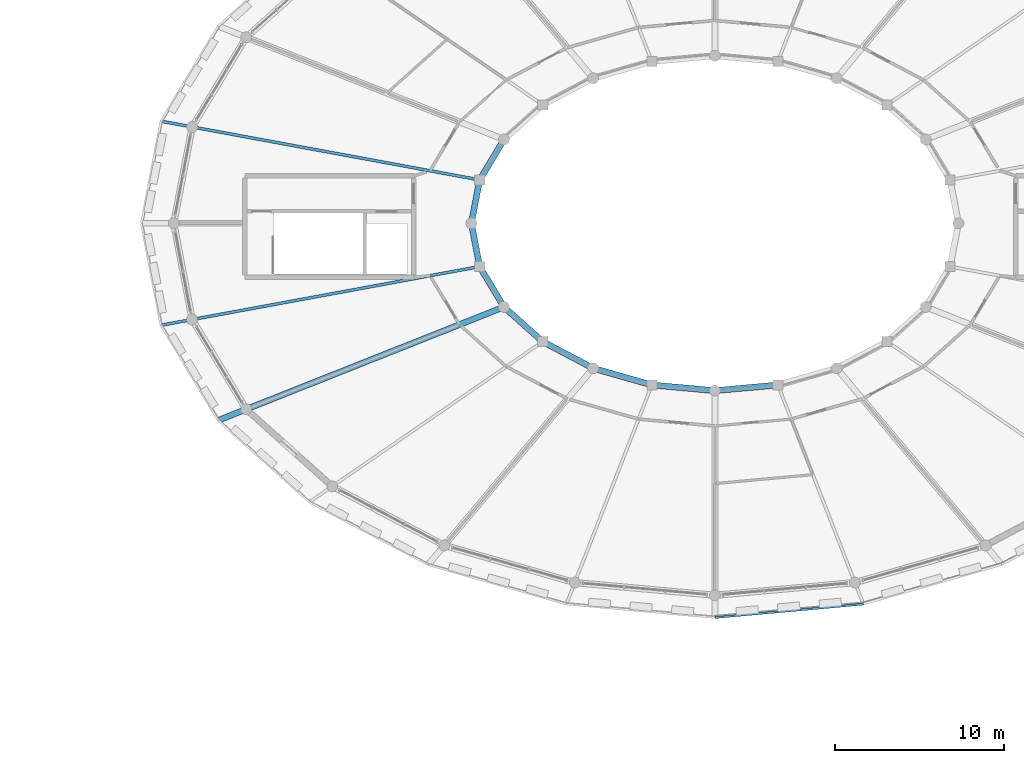
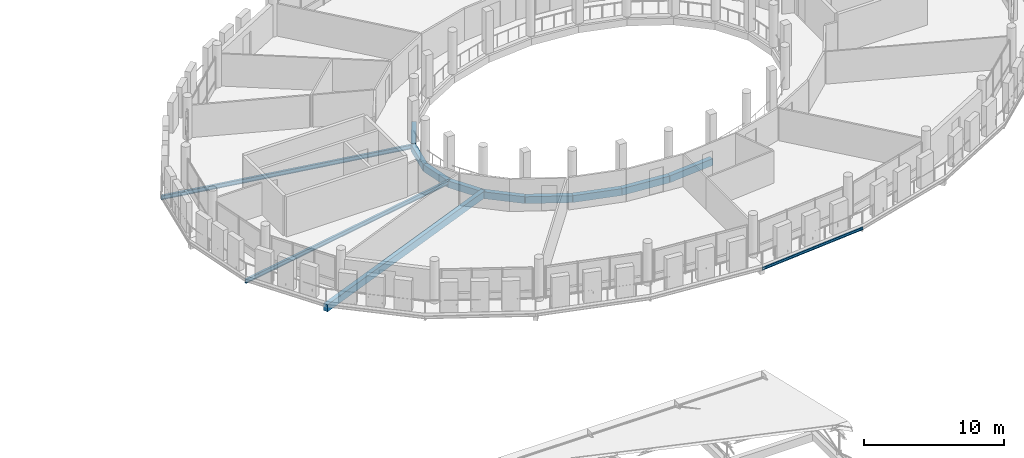
# One storey, part 30 of 84: 13 beams.
"""IFC4 building model written with IfcOpenShell, lengths in metres."""

from ifc_helpers import new_model, si_unit, direction, frame, origin, origin_2d, place, context, subcontext, project, spatial, rectangle, i_section, extrude, material, material_profile, profile_set, type_object, element, save


model = new_model("IFC4")

# Units and contexts
model_context = context("Model", 3, precision=1e-05, world=origin(), true_north=direction((0.0, 1.0)))
body_context = subcontext(model_context, "Body", "Model", "MODEL_VIEW")
ifc_project = project(units=[si_unit("LENGTHUNIT", "METRE"), si_unit("AREAUNIT", "SQUARE_METRE"), si_unit("VOLUMEUNIT", "CUBIC_METRE"), si_unit("PLANEANGLEUNIT", "RADIAN"), si_unit("MASSUNIT", "GRAM", prefix="KILO")], contexts=[model_context])

# Site, building, storey
site_placement = place(None, origin())
site = spatial("IfcSite", under=ifc_project, at=site_placement, CompositionType="ELEMENT")
building_placement = place(site_placement, origin())
building = spatial("IfcBuilding", under=site, at=building_placement, Name="Zornivar Specialist Clinic", CompositionType="ELEMENT")
storey_placement = place(building_placement, frame((0.0, 0.0, 12.300048828125)))
storey = spatial("IfcBuildingStorey", under=building, at=storey_placement, Name="L03", CompositionType="ELEMENT", Elevation=12.300048828125)

# Beams
ifc_material_1 = material(Name="Concrete C30/37", Category="concrete")
ifc_material_profile_1 = material_profile(ifc_material_1, rectangle(XDim=0.360107421875, YDim=0.60009765625, at=origin_2d()), Name="RC 360x600")
ifc_profile_set_1 = profile_set([ifc_material_profile_1], Name="Concrete C30/37")
beam_type_1 = type_object("IfcBeamType", Name="BM-RC-360x600", PredefinedType="BEAM", material=ifc_profile_set_1)
beam_1_placement = place(storey_placement, frame((81.12890625, 62.550048828125, -0.590087890625), z_axis=(-0.515873260277, -0.856664916599, 0.0), x_axis=(0.856664916599, -0.515873260277, 0.0)))
element("IfcBeam", 1, at=beam_1_placement, inside=storey, type_object=beam_type_1, Name="bm:V1:L03:inring:10", PredefinedType="BEAM", context=body_context, shape_type="SweptSolid", body=[
    extrude(rectangle(XDim=0.360107421875, YDim=0.60009765625, at=origin_2d()), origin(), (0.0, 0.0, 1.0), 2.78759765625),
])
for number, where, z_axis, x_axis, name in (
    (2, (79.69091796875, 60.162109375, -0.590087890625), (-0.188208648203, -0.982129067252, 0.0), (0.982129067252, -0.188208648203, 0.0), "bm:V1:L03:inring:11"),
    (3, (79.199951171875, 57.60009765625, -0.590087890625), (0.188208648203, -0.982129067252, 0.0), (0.982129067252, 0.188208648203, 0.0), "bm:V1:L03:inring:12"),
):
    element("IfcBeam", number, at=place(storey_placement, frame(where, z_axis=z_axis, x_axis=x_axis)), inside=storey, type_object=beam_type_1, Name=name, PredefinedType="BEAM", context=body_context, shape_type="SweptSolid", body=[
        extrude(rectangle(XDim=0.360107421875, YDim=0.60009765625, at=origin_2d()), origin(), (0.0, 0.0, 1.0), 2.608642578125),
    ])
beam_2_placement = place(storey_placement, frame((79.69091796875, 55.0380859375, -0.590087890625), z_axis=(0.515834556349, -0.856688222445, 0.0), x_axis=(0.856688222445, 0.515834556349, 0.0)))
element("IfcBeam", 4, at=beam_2_placement, inside=storey, type_object=beam_type_1, Name="bm:V1:L03:inring:13", PredefinedType="BEAM", context=body_context, shape_type="SweptSolid", body=[
    extrude(rectangle(XDim=0.360107421875, YDim=0.60009765625, at=origin_2d()), origin(), (0.0, 0.0, 1.0), 2.78759765625),
])
beam_3_placement = place(storey_placement, frame((81.12890625, 52.64990234375, -0.590087890625), z_axis=(0.744966948512, -0.667101375822, 0.0), x_axis=(0.667101375822, 0.744966948512, 0.0)))
element("IfcBeam", 5, at=beam_3_placement, inside=storey, type_object=beam_type_1, Name="bm:V1:L03:inring:14", PredefinedType="BEAM", context=body_context, shape_type="SweptSolid", body=[
    extrude(rectangle(XDim=0.360107421875, YDim=0.60009765625, at=origin_2d()), origin(), (0.0, 0.0, 1.0), 3.07275390625),
])
beam_4_placement = place(storey_placement, frame((83.41796875, 50.60009765625, -0.590087890625), z_axis=(0.884333274309, -0.466856144813, 0.0), x_axis=(0.466856144813, 0.884333274309, 0.0)))
element("IfcBeam", 6, at=beam_4_placement, inside=storey, type_object=beam_type_1, Name="bm:V1:L03:inring:15", PredefinedType="BEAM", context=body_context, shape_type="SweptSolid", body=[
    extrude(rectangle(XDim=0.360107421875, YDim=0.60009765625, at=origin_2d()), origin(), (0.0, 0.0, 1.0), 3.3720703125),
])
beam_5_placement = place(storey_placement, frame((86.39990234375, 49.02587890625, -0.590087890625), z_axis=(0.961783741221, -0.273810217345, 0.0), x_axis=(0.273810217345, 0.961783741221, 0.0)))
element("IfcBeam", 7, at=beam_5_placement, inside=storey, type_object=beam_type_1, Name="bm:V1:L03:inring:16", PredefinedType="BEAM", context=body_context, shape_type="SweptSolid", body=[
    extrude(rectangle(XDim=0.360107421875, YDim=0.60009765625, at=origin_2d()), origin(), (0.0, 0.0, 1.0), 3.611083984375),
])
beam_6_placement = place(storey_placement, frame((89.873046875, 48.037109375, -0.590087890625), z_axis=(0.995933214481, -0.090094574165, 0.0), x_axis=(0.090094574165, 0.995933214481, 0.0)))
element("IfcBeam", 8, at=beam_6_placement, inside=storey, type_object=beam_type_1, Name="bm:V1:L03:inring:17", PredefinedType="BEAM", context=body_context, shape_type="SweptSolid", body=[
    extrude(rectangle(XDim=0.360107421875, YDim=0.60009765625, at=origin_2d()), origin(), (0.0, 0.0, 1.0), 3.7421875),
])
beam_7_placement = place(storey_placement, frame((93.60009765625, 47.699951171875, -0.590087890625), z_axis=(0.995932684885, 0.090100428289, 0.0), x_axis=(-0.090100428289, 0.995932684885, 0.0)))
element("IfcBeam", 9, at=beam_7_placement, inside=storey, type_object=beam_type_1, Name="bm:V1:L03:inring:18", PredefinedType="BEAM", context=body_context, shape_type="SweptSolid", body=[
    extrude(rectangle(XDim=0.360107421875, YDim=0.60009765625, at=origin_2d()), origin(), (0.0, 0.0, 1.0), 3.741943359375),
])
ifc_material_2 = material(Name="Concrete C30/37", Category="concrete")
ifc_material_profile_2 = material_profile(ifc_material_2, rectangle(XDim=0.35009765625, YDim=0.6201171875, at=origin_2d()), Name="RC 350x620")
ifc_profile_set_2 = profile_set([ifc_material_profile_2], Name="Concrete C30/37")
beam_type_2 = type_object("IfcBeamType", Name="BM-RC-CANT-350x620", PredefinedType="BEAM", material=ifc_profile_set_2)
beam_8_placement = place(storey_placement, frame((81.12890625, 52.64990234375, -0.550048828125), z_axis=(-0.929458420314, -0.368926882873, 0.0), x_axis=(0.368926882873, -0.929458420314, 0.0)))
element("IfcBeam", 10, at=beam_8_placement, inside=storey, type_object=beam_type_2, Name="bm:V1:L03:radcant:14", PredefinedType="BEAM", context=body_context, shape_type="SweptSolid", body=[
    extrude(rectangle(XDim=0.35009765625, YDim=0.6201171875, at=origin_2d()), origin(), (0.0, 0.0, 1.0), 18.187744140625),
])
ifc_material_3 = material(Name="Steel S355J2", Category="steel")
ifc_material_profile_3 = material_profile(ifc_material_3, i_section(OverallWidth=0.1201171875, OverallDepth=0.239990234375, WebThickness=0.006103515625, FlangeThickness=0.009765625, FilletRadius=0.014892578125, at=origin_2d()), Name="IPE 240")
ifc_profile_set_3 = profile_set([ifc_material_profile_3], Name="Steel S355J2")
beam_type_3 = type_object("IfcBeamType", Name="BM-STL-IPE240", PredefinedType="JOIST", material=ifc_profile_set_3)
beam_9_placement = place(storey_placement, frame((93.60009765625, 34.280029296875, -0.360107421875), z_axis=(0.995925380717, 0.090181129084, 0.0), x_axis=(-0.090181129084, 0.995925380717, 0.0)))
element("IfcBeam", 11, at=beam_9_placement, inside=storey, type_object=beam_type_3, Name="bm:V1:L03:balring:18", PredefinedType="JOIST", context=body_context, shape_type="SweptSolid", body=[
    extrude(i_section(OverallWidth=0.1201171875, OverallDepth=0.239990234375, WebThickness=0.006103515625, FlangeThickness=0.009765625, FilletRadius=0.014892578125, at=origin_2d()), origin(), (0.0, 0.0, 1.0), 8.814697265625),
])
ifc_material_4 = material(Name="Steel S355J2", Category="steel")
ifc_material_profile_4 = material_profile(ifc_material_4, i_section(OverallWidth=0.169921875, OverallDepth=0.360107421875, WebThickness=0.008056640625, FlangeThickness=0.0126953125, FilletRadius=0.01806640625, at=origin_2d()), Name="IPE 360")
ifc_profile_set_4 = profile_set([ifc_material_profile_4], Name="Steel S355J2")
beam_type_4 = type_object("IfcBeamType", Name="BM-STL-IPE360", PredefinedType="BEAM", material=ifc_profile_set_4)
for number, where, z_axis, x_axis, name in (
    (12, (79.69091796875, 60.162109375, -0.469970703125), (-0.983447695369, 0.18119224728, 0.0), (-0.18119224728, -0.983447695369, 0.0), "bm:V1:L03:radmid:11"),
    (13, (79.69091796875, 55.0380859375, -0.469970703125), (-0.983445426184, -0.181204563183, 0.0), (0.181204563183, -0.983445426184, 0.0), "bm:V1:L03:radmid:13"),
):
    element("IfcBeam", number, at=place(storey_placement, frame(where, z_axis=z_axis, x_axis=x_axis)), inside=storey, type_object=beam_type_4, Name=name, PredefinedType="BEAM", context=body_context, shape_type="SweptSolid", body=[
        extrude(i_section(OverallWidth=0.169921875, OverallDepth=0.360107421875, WebThickness=0.008056640625, FlangeThickness=0.0126953125, FilletRadius=0.01806640625, at=origin_2d()), origin(), (0.0, 0.0, 1.0), 19.17236328125),
    ])

save(model, "model.ifc")
